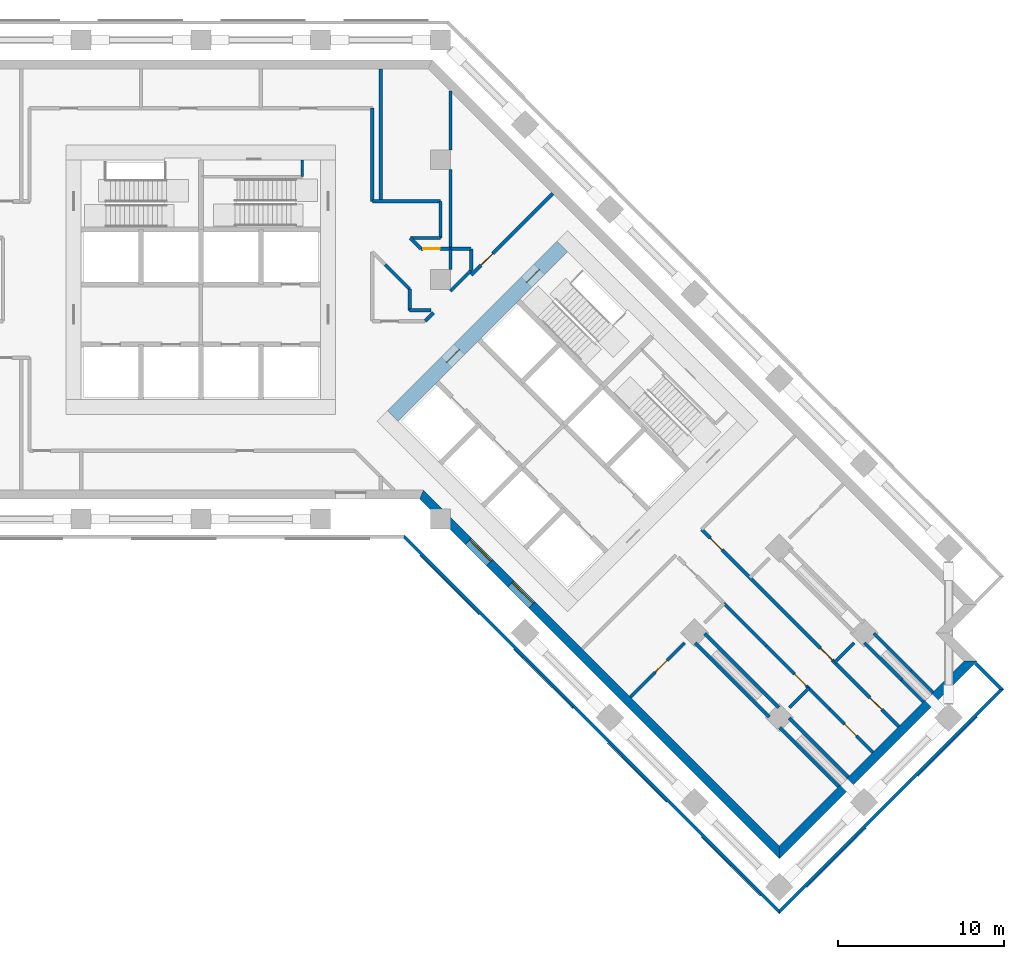
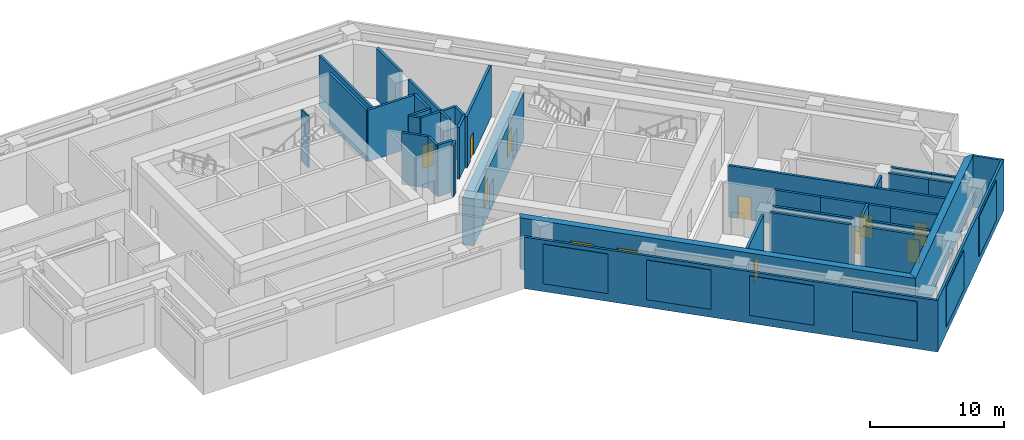
# One storey, part 5 of 8: 41 walls, 10 doors, 6 plates, 2 windows, 12 openings.
"""IFC4 building model written with IfcOpenShell, lengths in metres."""

from ifc_helpers import new_model, si_unit, direction, frame, frame_2d, origin, place, context, subcontext, project, spatial, polyline, rectangle, outline, extrude, material, layer, layer_set, type_object, element, fill, aggregate, save


model = new_model("IFC4")

# Units and contexts
model_context = context("Model", 3, precision=1e-05, world=origin(), true_north=direction((0.0, 1.0)))
body_context = subcontext(model_context, "Body", "Model", "MODEL_VIEW")
ifc_project = project(units=[si_unit("LENGTHUNIT", "METRE"), si_unit("AREAUNIT", "SQUARE_METRE"), si_unit("VOLUMEUNIT", "CUBIC_METRE"), si_unit("PLANEANGLEUNIT", "RADIAN"), si_unit("MASSUNIT", "GRAM", prefix="KILO")], contexts=[model_context])

# Plate
ifc_material_1 = material(Name="Aluminium louvre", Category="aluminium")
ifc_layer_1 = layer(ifc_material_1, 0.05)
ifc_layer_set_1 = layer_set([ifc_layer_1], Name="Belt louvre panel 5000x3600")
plate_type = type_object("IfcPlateType", Name="Belt louvre panel 5000x3600", PredefinedType="SHEET", material=ifc_layer_set_1)
site_placement = place(None, origin())
building_placement = place(site_placement, origin())
storey_placement = place(building_placement, frame((0.0, 0.0, 72.0)))
plate_1_placement = place(storey_placement, frame((77.9625, 40.9934, 0.75), z_axis=(-0.7070967812, -0.7071167811, 0.0), x_axis=(0.7071167811, -0.7070967812, 0.0)))
plate_1 = element("IfcPlate", 1, at=plate_1_placement, type_object=plate_type, Name="Belt louvre panel L19 78.1", PredefinedType="SHEET", context=body_context, shape_type="SweptSolid", body=[
    extrude(outline(polyline([(0.0, 0.0), (5.0, 0.0), (5.0, 3.6), (0.0, 3.6), (0.0, 0.0)])), origin(), (0.0, 0.0, -1.0), 0.05),
])

plate_2_placement = place(storey_placement, frame((83.5992, 35.3568, 0.75), z_axis=(-0.7071167811, -0.7070967812, 0.0), x_axis=(0.7070967812, -0.7071167811, 0.0)))
plate_2 = element("IfcPlate", 2, at=plate_2_placement, type_object=plate_type, Name="Belt louvre panel L19 79.2", PredefinedType="SHEET", context=body_context, shape_type="SweptSolid", body=[
    extrude(outline(polyline([(0.0, 0.0), (5.0, 0.0), (5.0, 3.6), (0.0, 3.6), (0.0, 0.0)])), origin(), (0.0, 0.0, -1.0), 0.05),
])

plate_3_placement = place(storey_placement, frame((89.2359, 29.7201, 0.75), z_axis=(-0.7071167811, -0.7070967812, 0.0), x_axis=(0.7070967812, -0.7071167811, 0.0)))
plate_3 = element("IfcPlate", 3, at=plate_3_placement, type_object=plate_type, Name="Belt louvre panel L19 80.3", PredefinedType="SHEET", context=body_context, shape_type="SweptSolid", body=[
    extrude(outline(polyline([(0.0, 0.0), (5.0, 0.0), (5.0, 3.6), (0.0, 3.6), (0.0, 0.0)])), origin(), (0.0, 0.0, -1.0), 0.05),
])

plate_4_placement = place(storey_placement, frame((94.8725, 24.0834, 0.75), z_axis=(-0.7071067812, -0.7071067812, 0.0), x_axis=(0.7071067812, -0.7071067812, 0.0)))
plate_4 = element("IfcPlate", 4, at=plate_4_placement, type_object=plate_type, Name="Belt louvre panel L19 81.4", PredefinedType="SHEET", context=body_context, shape_type="SweptSolid", body=[
    extrude(outline(polyline([(0.0, 0.0), (5.0, 0.0), (5.0, 3.6), (0.0, 3.6), (0.0, 0.0)])), origin(), (0.0, 0.0, -1.0), 0.05),
])

plate_5_placement = place(storey_placement, frame((101.2441, 21.0706, 0.75), z_axis=(0.7071167811, -0.7070967812, 0.0), x_axis=(0.7070967812, 0.7071167811, 0.0)))
plate_5 = element("IfcPlate", 5, at=plate_5_placement, type_object=plate_type, Name="Belt louvre panel L19 86.1", PredefinedType="SHEET", context=body_context, shape_type="SweptSolid", body=[
    extrude(outline(polyline([(0.0, 0.0), (5.0, 0.0), (5.0, 3.6), (0.0, 3.6), (0.0, 0.0)])), origin(), (0.0, 0.0, -1.0), 0.05),
])

plate_6_placement = place(storey_placement, frame((107.9262, 27.7528, 0.75), z_axis=(0.7071067812, -0.7071067812, 0.0), x_axis=(0.7071067812, 0.7071067812, 0.0)))
plate_6 = element("IfcPlate", 6, at=plate_6_placement, type_object=plate_type, Name="Belt louvre panel L19 87.2", PredefinedType="SHEET", context=body_context, shape_type="SweptSolid", body=[
    extrude(outline(polyline([(0.0, 0.0), (5.0, 0.0), (5.0, 3.6), (0.0, 3.6), (0.0, 0.0)])), origin(), (0.0, 0.0, -1.0), 0.05),
])

# Site, building, storey
site = spatial("IfcSite", under=ifc_project, at=site_placement, CompositionType="ELEMENT")
building = spatial("IfcBuilding", under=site, at=building_placement, Name="Windrow Commons", CompositionType="ELEMENT")
storey = spatial("IfcBuildingStorey", under=building, at=storey_placement, Name="L19", CompositionType="ELEMENT", Elevation=72.0)

# Wall
ifc_material_2 = material(Name="Concrete C40/50 precast screen panel", Category="concrete")
ifc_layer_2 = layer(ifc_material_2, 0.2)
ifc_layer_set_2 = layer_set([ifc_layer_2], Name="Belt screen wall 200")
wall_type_1 = type_object("IfcWallType", Name="Belt screen wall 200", PredefinedType="SOLIDWALL", material=ifc_layer_set_2)
wall_1_placement = place(storey_placement, frame((77.0181, 42.15, 0.0), z_axis=(0.0, 0.0, 1.0), x_axis=(0.7071067812, -0.7071067812, 0.0)))
wall_1 = element("IfcWall", 7, at=wall_1_placement, inside=storey, type_object=wall_type_1, Name="Belt screen wall L19 78", PredefinedType="SOLIDWALL", context=body_context, shape_type="SweptSolid", body=[
    extrude(outline(polyline([(0.0414, -0.1), (31.9857, -0.1), (31.7857, 0.1), (-0.0414, 0.1), (0.0414, -0.1)])), origin(), (0.0, 0.0, 1.0), 4.7),
])

aggregate(wall_1, [plate_1, plate_2, plate_3, plate_4])

wall_2_placement = place(storey_placement, frame((99.5647, 19.6034, 0.0), z_axis=(0.0, 0.0, 1.0), x_axis=(0.7071067812, 0.7071067812, 0.0)))
wall_2 = element("IfcWall", 8, at=wall_2_placement, inside=storey, type_object=wall_type_1, Name="Belt screen wall L19 86", PredefinedType="SOLIDWALL", context=body_context, shape_type="SweptSolid", body=[
    extrude(outline(polyline([(-0.1, -0.1), (19.0, -0.1), (18.8, 0.1), (0.1, 0.1), (-0.1, -0.1)])), origin(), (0.0, 0.0, 1.0), 4.7),
])

aggregate(wall_2, [plate_5, plate_6])

wall_3_placement = place(storey_placement, frame((112.929, 32.9677, 0.0), z_axis=(0.0, 0.0, 1.0), x_axis=(-0.7071067812, 0.7071067812, 0.0)))
element("IfcWall", 9, at=wall_3_placement, inside=storey, type_object=wall_type_1, Name="Belt screen wall L19 2", PredefinedType="SOLIDWALL", context=body_context, shape_type="SweptSolid", body=[
    extrude(outline(polyline([(-0.1, -0.1), (2.23, -0.1), (2.23, 0.1), (0.1, 0.1), (-0.1, -0.1)])), origin(), (0.0, 0.0, 1.0), 4.7),
])

# Wall, openings, windows
ifc_material_3 = material(Name="Brick masonry, red clay brick", Category="masonry")
ifc_layer_3 = layer(ifc_material_3, 0.55)
ifc_layer_set_3 = layer_set([ifc_layer_3], Name="Brick facade wall 550")
wall_type_2 = type_object("IfcWallType", Name="Brick facade wall 550", PredefinedType="SOLIDWALL", material=ifc_layer_set_3)
wall_4_placement = place(storey_placement, frame((78.0639, 44.675, 0.0), z_axis=(0.0, 0.0, 1.0), x_axis=(0.7071084256, -0.7071051368, 0.0)))
wall_4 = element("IfcWall", 10, at=wall_4_placement, inside=storey, type_object=wall_type_2, Name="Brick facade wall L19 13", PredefinedType="SOLIDWALL", context=body_context, shape_type="SweptSolid", body=[
    extrude(outline(polyline([(0.1139, -0.275), (30.6816, -0.275), (30.1316, 0.275), (-0.1139, 0.275), (0.1139, -0.275)])), origin(), (0.0, 0.0, 1.0), 4.7),
])
opening_1_placement = place(wall_4_placement, frame((3.9816, 0.0, 0.9)))
opening_1 = element("IfcOpeningElement", 11, at=opening_1_placement, cuts=wall_4, Name="Opening LV1", PredefinedType="OPENING", context=body_context, shape_type="SweptSolid", body=[
    extrude(rectangle(XDim=1.8, YDim=2.4, at=frame_2d((0.9, 1.2))), frame((0.0, 0.285, 0.0), z_axis=(0.0, -1.0, 0.0), x_axis=(1.0, 0.0, 0.0)), (0.0, 0.0, 1.0), 0.57),
])
opening_2_placement = place(wall_4_placement, frame((7.5816, 0.0, 0.9)))
opening_2 = element("IfcOpeningElement", 12, at=opening_2_placement, cuts=wall_4, Name="Opening LV1", PredefinedType="OPENING", context=body_context, shape_type="SweptSolid", body=[
    extrude(rectangle(XDim=1.8, YDim=2.4, at=frame_2d((0.9, 1.2))), frame((0.0, 0.285, 0.0), z_axis=(0.0, -1.0, 0.0), x_axis=(1.0, 0.0, 0.0)), (0.0, 0.0, 1.0), 0.57),
])
ifc_material_4 = material(Name="Aluminium 6063-T6 anodised louvre", Category="aluminium")
window_type = type_object("IfcWindowType", Name="Plant louvre 1800x2400", PartitioningType="SINGLE_PANEL", PredefinedType="WINDOW", material=ifc_material_4)
window_1_placement = place(opening_1_placement, origin())
window_1 = element("IfcWindow", 13, at=window_1_placement, inside=storey, type_object=window_type, Name="Louvre L19 13.1", OverallHeight=2.4, OverallWidth=1.8, PartitioningType="SINGLE_PANEL", PredefinedType="WINDOW", context=body_context, shape_type="SweptSolid", body=[
    extrude(rectangle(XDim=1.8, YDim=2.4, at=frame_2d((0.9, 1.2))), frame((0.0, 0.155, 0.0), z_axis=(0.0, -1.0, 0.0), x_axis=(1.0, 0.0, 0.0)), (0.0, 0.0, 1.0), 0.06),
])
fill(opening_1, window_1)
window_2_placement = place(opening_2_placement, origin())
window_2 = element("IfcWindow", 14, at=window_2_placement, inside=storey, type_object=window_type, Name="Louvre L19 13.2", OverallHeight=2.4, OverallWidth=1.8, PartitioningType="SINGLE_PANEL", PredefinedType="WINDOW", context=body_context, shape_type="SweptSolid", body=[
    extrude(rectangle(XDim=1.8, YDim=2.4, at=frame_2d((0.9, 1.2))), frame((0.0, 0.155, 0.0), z_axis=(0.0, -1.0, 0.0), x_axis=(1.0, 0.0, 0.0)), (0.0, 0.0, 1.0), 0.06),
])
fill(opening_2, window_2)

# Wall
wall_5_placement = place(storey_placement, frame((99.5647, 23.1743, 0.0), z_axis=(0.0, 0.0, 1.0), x_axis=(0.7071067812, 0.7071067812, 0.0)))
element("IfcWall", 15, at=wall_5_placement, inside=storey, type_object=wall_type_2, Name="Brick facade wall L19 14", PredefinedType="SOLIDWALL", context=body_context, shape_type="SweptSolid", body=[
    extrude(outline(polyline([(-0.275, -0.275), (16.525, -0.275), (15.975, 0.275), (0.275, 0.275), (-0.275, -0.275)])), origin(), (0.0, 0.0, 1.0), 4.7),
])

# Wall, openings, doors
ifc_material_5 = material(Name="Blockwork partition", Category="masonry")
ifc_layer_4 = layer(ifc_material_5, 0.2)
ifc_layer_set_4 = layer_set([ifc_layer_4], Name="IW-CORRIDOR-200")
wall_type_3 = type_object("IfcWallType", Name="IW-CORRIDOR-200", PredefinedType="PARTITIONING", material=ifc_layer_set_4)
wall_6_placement = place(storey_placement, frame((94.8949, 42.5809, 0.0), z_axis=(0.0, 0.0, 1.0), x_axis=(0.707103796, -0.7071097663, 0.0)))
wall_6 = element("IfcWall", 16, at=wall_6_placement, inside=storey, type_object=wall_type_3, Name="W-L19-W004", PredefinedType="PARTITIONING", context=body_context, shape_type="SweptSolid", body=[
    extrude(rectangle(XDim=16.7496, YDim=0.2, at=frame_2d((8.3748, 0.0))), origin(), (0.0, 0.0, 1.0), 4.7),
])
opening_3_placement = place(wall_6_placement, frame((0.7322, 0.0, 0.0)))
opening_3 = element("IfcOpeningElement", 17, at=opening_3_placement, cuts=wall_6, Name="Opening D410F", PredefinedType="OPENING", context=body_context, shape_type="SweptSolid", body=[
    extrude(rectangle(XDim=1.0, YDim=2.1, at=frame_2d((0.5, 1.05))), frame((0.0, 0.11, 0.0), z_axis=(0.0, -1.0, 0.0), x_axis=(1.0, 0.0, 0.0)), (0.0, 0.0, 1.0), 0.22),
])
opening_4_placement = place(wall_6_placement, frame((10.1033, 0.0, 0.0)))
opening_4 = element("IfcOpeningElement", 18, at=opening_4_placement, cuts=wall_6, Name="Opening D410F", PredefinedType="OPENING", context=body_context, shape_type="SweptSolid", body=[
    extrude(rectangle(XDim=1.0, YDim=2.1, at=frame_2d((0.5, 1.05))), frame((0.0, 0.11, 0.0), z_axis=(0.0, -1.0, 0.0), x_axis=(1.0, 0.0, 0.0)), (0.0, 0.0, 1.0), 0.22),
])
opening_5_placement = place(wall_6_placement, frame((14.3199, 0.0, 0.0)))
opening_5 = element("IfcOpeningElement", 19, at=opening_5_placement, cuts=wall_6, Name="Opening D410F", PredefinedType="OPENING", context=body_context, shape_type="SweptSolid", body=[
    extrude(rectangle(XDim=1.0, YDim=2.1, at=frame_2d((0.5, 1.05))), frame((0.0, 0.11, 0.0), z_axis=(0.0, -1.0, 0.0), x_axis=(1.0, 0.0, 0.0)), (0.0, 0.0, 1.0), 0.22),
])
ifc_material_6 = material(Name="Timber door leaf", Category="wood")
door_type_1 = type_object("IfcDoorType", Name="DT-SERVICE-1000", OperationType="SINGLE_SWING_LEFT", PredefinedType="DOOR", material=ifc_material_6)
door_1_placement = place(opening_3_placement, origin())
door_1 = element("IfcDoor", 20, at=door_1_placement, inside=storey, type_object=door_type_1, Name="D-L19-D016", OperationType="SINGLE_SWING_RIGHT", OverallHeight=2.1, OverallWidth=1.0, PredefinedType="DOOR", context=body_context, shape_type="SweptSolid", body=[
    extrude(rectangle(XDim=1.0, YDim=2.1, at=frame_2d((0.5, 1.05))), frame((0.0, 0.025, 0.0), z_axis=(0.0, -1.0, 0.0), x_axis=(1.0, 0.0, 0.0)), (0.0, 0.0, 1.0), 0.05),
])
fill(opening_3, door_1)
door_2_placement = place(opening_4_placement, origin())
door_2 = element("IfcDoor", 21, at=door_2_placement, inside=storey, type_object=door_type_1, Name="D-L19-D017", OperationType="SINGLE_SWING_LEFT", OverallHeight=2.1, OverallWidth=1.0, PredefinedType="DOOR", context=body_context, shape_type="SweptSolid", body=[
    extrude(rectangle(XDim=1.0, YDim=2.1, at=frame_2d((0.5, 1.05))), frame((0.0, 0.025, 0.0), z_axis=(0.0, -1.0, 0.0), x_axis=(1.0, 0.0, 0.0)), (0.0, 0.0, 1.0), 0.05),
])
fill(opening_4, door_2)
door_3_placement = place(opening_5_placement, origin())
door_3 = element("IfcDoor", 22, at=door_3_placement, inside=storey, type_object=door_type_1, Name="D-L19-D018", OperationType="SINGLE_SWING_LEFT", OverallHeight=2.1, OverallWidth=1.0, PredefinedType="DOOR", context=body_context, shape_type="SweptSolid", body=[
    extrude(rectangle(XDim=1.0, YDim=2.1, at=frame_2d((0.5, 1.05))), frame((0.0, 0.025, 0.0), z_axis=(0.0, -1.0, 0.0), x_axis=(1.0, 0.0, 0.0)), (0.0, 0.0, 1.0), 0.05),
])
fill(opening_5, door_3)

# Wall, opening, door
wall_7_placement = place(storey_placement, frame((81.0515, 57.8725, 0.0), z_axis=(0.0, 0.0, 1.0), x_axis=(0.7070995666, 0.7071139957, 0.0)))
wall_7 = element("IfcWall", 23, at=wall_7_placement, inside=storey, type_object=wall_type_3, Name="W-L19-W011", PredefinedType="PARTITIONING", context=body_context, shape_type="SweptSolid", body=[
    extrude(rectangle(XDim=6.9304, YDim=0.2, at=frame_2d((3.4652, 0.0))), origin(), (0.0, 0.0, 1.0), 4.7),
])
opening_6_placement = place(wall_7_placement, frame((0.8353, 0.0, 0.0)))
opening_6 = element("IfcOpeningElement", 24, at=opening_6_placement, cuts=wall_7, Name="Opening D410F", PredefinedType="OPENING", context=body_context, shape_type="SweptSolid", body=[
    extrude(rectangle(XDim=1.0, YDim=2.1, at=frame_2d((0.5, 1.05))), frame((0.0, 0.11, 0.0), z_axis=(0.0, -1.0, 0.0), x_axis=(1.0, 0.0, 0.0)), (0.0, 0.0, 1.0), 0.22),
])
door_4_placement = place(opening_6_placement, origin())
door_4 = element("IfcDoor", 25, at=door_4_placement, inside=storey, type_object=door_type_1, Name="D-L19-D015", OperationType="SINGLE_SWING_RIGHT", OverallHeight=2.1, OverallWidth=1.0, PredefinedType="DOOR", context=body_context, shape_type="SweptSolid", body=[
    extrude(rectangle(XDim=1.0, YDim=2.1, at=frame_2d((0.5, 1.05))), frame((0.0, 0.025, 0.0), z_axis=(0.0, -1.0, 0.0), x_axis=(1.0, 0.0, 0.0)), (0.0, 0.0, 1.0), 0.05),
])
fill(opening_6, door_4)

# Walls
wall_8_placement = place(storey_placement, frame((75.1, 62.302, 0.0), z_axis=(0.0, 0.0, 1.0), x_axis=(0.0, 1.0, 0.0)))
element("IfcWall", 26, at=wall_8_placement, inside=storey, type_object=wall_type_3, Name="W-L19-W017", PredefinedType="PARTITIONING", context=body_context, shape_type="SweptSolid", body=[
    extrude(rectangle(XDim=5.598, YDim=0.2, at=frame_2d((2.799, 0.0))), origin(), (0.0, 0.0, 1.0), 4.7),
])
wall_9_placement = place(storey_placement, frame((75.102, 62.3, 0.0), z_axis=(0.0, 0.0, 1.0), x_axis=(1.0, 0.0, 0.0)))
element("IfcWall", 27, at=wall_9_placement, inside=storey, type_object=wall_type_3, Name="W-L19-W032", PredefinedType="PARTITIONING", context=body_context, shape_type="SweptSolid", body=[
    extrude(rectangle(XDim=4.098, YDim=0.2, at=frame_2d((2.049, 0.0))), origin(), (0.0, 0.0, 1.0), 4.7),
])

# Wall, opening, door
wall_10_placement = place(storey_placement, frame((98.7832, 35.5812, 0.0), z_axis=(0.0, 0.0, 1.0), x_axis=(0.7071067812, -0.7071067812, 0.0)))
wall_10 = element("IfcWall", 28, at=wall_10_placement, inside=storey, type_object=wall_type_3, Name="W-L19-W034", PredefinedType="PARTITIONING", context=body_context, shape_type="SweptSolid", body=[
    extrude(rectangle(XDim=3.6006, YDim=0.2, at=frame_2d((1.8003, 0.0))), origin(), (0.0, 0.0, 1.0), 4.7),
])
opening_7_placement = place(wall_10_placement, frame((2.3981, 0.0, 0.0)))
opening_7 = element("IfcOpeningElement", 29, at=opening_7_placement, cuts=wall_10, Name="Opening D410F", PredefinedType="OPENING", context=body_context, shape_type="SweptSolid", body=[
    extrude(rectangle(XDim=1.0, YDim=2.1, at=frame_2d((0.5, 1.05))), frame((0.0, 0.11, 0.0), z_axis=(0.0, -1.0, 0.0), x_axis=(1.0, 0.0, 0.0)), (0.0, 0.0, 1.0), 0.22),
])
door_5_placement = place(opening_7_placement, origin())
door_5 = element("IfcDoor", 30, at=door_5_placement, inside=storey, type_object=door_type_1, Name="D-L19-D020", OperationType="SINGLE_SWING_RIGHT", OverallHeight=2.1, OverallWidth=1.0, PredefinedType="DOOR", context=body_context, shape_type="SweptSolid", body=[
    extrude(rectangle(XDim=1.0, YDim=2.1, at=frame_2d((0.5, 1.05))), frame((0.0, 0.025, 0.0), z_axis=(0.0, -1.0, 0.0), x_axis=(1.0, 0.0, 0.0)), (0.0, 0.0, 1.0), 0.05),
])
fill(opening_7, door_5)

wall_11_placement = place(storey_placement, frame((105.1829, 29.1815, 0.0), z_axis=(0.0, 0.0, 1.0), x_axis=(-0.7069697689, 0.7072437669, 0.0)))
wall_11 = element("IfcWall", 31, at=wall_11_placement, inside=storey, type_object=wall_type_3, Name="W-L19-W035", PredefinedType="PARTITIONING", context=body_context, shape_type="SweptSolid", body=[
    extrude(rectangle(XDim=3.6497, YDim=0.2, at=frame_2d((1.8249, 0.0))), origin(), (0.0, 0.0, 1.0), 4.7),
])
opening_8_placement = place(wall_11_placement, frame((1.397, 0.0, 0.0)))
opening_8 = element("IfcOpeningElement", 32, at=opening_8_placement, cuts=wall_11, Name="Opening D410F", PredefinedType="OPENING", context=body_context, shape_type="SweptSolid", body=[
    extrude(rectangle(XDim=1.0, YDim=2.1, at=frame_2d((0.5, 1.05))), frame((0.0, 0.11, 0.0), z_axis=(0.0, -1.0, 0.0), x_axis=(1.0, 0.0, 0.0)), (0.0, 0.0, 1.0), 0.22),
])
door_6_placement = place(opening_8_placement, origin())
door_6 = element("IfcDoor", 33, at=door_6_placement, inside=storey, type_object=door_type_1, Name="D-L19-D021", OperationType="SINGLE_SWING_RIGHT", OverallHeight=2.1, OverallWidth=1.0, PredefinedType="DOOR", context=body_context, shape_type="SweptSolid", body=[
    extrude(rectangle(XDim=1.0, YDim=2.1, at=frame_2d((0.5, 1.05))), frame((0.0, 0.025, 0.0), z_axis=(0.0, -1.0, 0.0), x_axis=(1.0, 0.0, 0.0)), (0.0, 0.0, 1.0), 0.05),
])
fill(opening_8, door_6)

# Walls
wall_12_placement = place(storey_placement, frame((96.2409, 38.1289, 0.0), z_axis=(0.0, 0.0, 1.0), x_axis=(0.7068288851, -0.7073845681, 0.0)))
element("IfcWall", 34, at=wall_12_placement, inside=storey, type_object=wall_type_3, Name="W-L19-W036", PredefinedType="PARTITIONING", context=body_context, shape_type="SweptSolid", body=[
    extrude(rectangle(XDim=3.5992, YDim=0.2, at=frame_2d((1.7996, 0.0))), origin(), (0.0, 0.0, 1.0), 4.7),
])
wall_13_placement = place(storey_placement, frame((79.2, 60.102, 0.0), z_axis=(0.0, 0.0, 1.0), x_axis=(0.0, 1.0, 0.0)))
element("IfcWall", 35, at=wall_13_placement, inside=storey, type_object=wall_type_3, Name="W-L19-W052", PredefinedType="PARTITIONING", context=body_context, shape_type="SweptSolid", body=[
    extrude(rectangle(XDim=2.198, YDim=0.2, at=frame_2d((1.099, 0.0))), origin(), (0.0, 0.0, 1.0), 4.7),
])
wall_14_placement = place(storey_placement, frame((75.8791, 58.4971, 0.0), z_axis=(0.0, 0.0, 1.0), x_axis=(0.7075866635, -0.706626573, 0.0)))
element("IfcWall", 36, at=wall_14_placement, inside=storey, type_object=wall_type_3, Name="W-L19-W053", PredefinedType="PARTITIONING", context=body_context, shape_type="SweptSolid", body=[
    extrude(rectangle(XDim=2.0831, YDim=0.2, at=frame_2d((1.0415, 0.0))), origin(), (0.0, 0.0, 1.0), 4.7),
])
wall_15_placement = place(storey_placement, frame((77.384, 60.1, 0.0), z_axis=(0.0, 0.0, 1.0), x_axis=(1.0, 0.0, 0.0)))
element("IfcWall", 37, at=wall_15_placement, inside=storey, type_object=wall_type_3, Name="W-L19-W059", PredefinedType="PARTITIONING", context=body_context, shape_type="SweptSolid", body=[
    extrude(rectangle(XDim=1.814, YDim=0.2, at=frame_2d((0.907, 0.0))), origin(), (0.0, 0.0, 1.0), 4.7),
])
wall_16_placement = place(storey_placement, frame((101.3348, 33.0408, 0.0), z_axis=(0.0, 0.0, 1.0), x_axis=(0.7076620277, -0.7065510983, 0.0)))
element("IfcWall", 38, at=wall_16_placement, inside=storey, type_object=wall_type_3, Name="W-L19-W062", PredefinedType="PARTITIONING", context=body_context, shape_type="SweptSolid", body=[
    extrude(rectangle(XDim=1.8003, YDim=0.2, at=frame_2d((0.9002, 0.0))), origin(), (0.0, 0.0, 1.0), 4.7),
])

# Wall, opening, door
wall_17_placement = place(storey_placement, frame((78.032, 59.45, 0.0), z_axis=(0.0, 0.0, 1.0), x_axis=(1.0, 0.0, 0.0)))
wall_17 = element("IfcWall", 39, at=wall_17_placement, inside=storey, type_object=wall_type_3, Name="W-L19-W063", PredefinedType="PARTITIONING", context=body_context, shape_type="SweptSolid", body=[
    extrude(rectangle(XDim=1.768, YDim=0.2, at=frame_2d((0.884, 0.0))), origin(), (0.0, 0.0, 1.0), 4.7),
])
opening_9_placement = place(wall_17_placement, frame((0.1264, 0.0, 0.0)))
opening_9 = element("IfcOpeningElement", 40, at=opening_9_placement, cuts=wall_17, Name="Opening D410F", PredefinedType="OPENING", context=body_context, shape_type="SweptSolid", body=[
    extrude(rectangle(XDim=1.0, YDim=2.1, at=frame_2d((0.5, 1.05))), frame((0.0, 0.11, 0.0), z_axis=(0.0, -1.0, 0.0), x_axis=(1.0, 0.0, 0.0)), (0.0, 0.0, 1.0), 0.22),
])
door_7_placement = place(opening_9_placement, origin())
door_7 = element("IfcDoor", 41, at=door_7_placement, inside=storey, type_object=door_type_1, Name="D-L19-D014", OperationType="SINGLE_SWING_LEFT", OverallHeight=2.1, OverallWidth=1.0, PredefinedType="DOOR", context=body_context, shape_type="SweptSolid", body=[
    extrude(rectangle(XDim=1.0, YDim=2.1, at=frame_2d((0.5, 1.05))), frame((0.0, 0.025, 0.0), z_axis=(0.0, -1.0, 0.0), x_axis=(1.0, 0.0, 0.0)), (0.0, 0.0, 1.0), 0.05),
])
fill(opening_9, door_7)

# Walls
wall_18_placement = place(storey_placement, frame((79.8011, 56.9049, 0.0), z_axis=(0.0, 0.0, 1.0), x_axis=(0.7071067812, 0.7071067812, 0.0)))
element("IfcWall", 42, at=wall_18_placement, inside=storey, type_object=wall_type_3, Name="W-L19-W064", PredefinedType="PARTITIONING", context=body_context, shape_type="SweptSolid", body=[
    extrude(rectangle(XDim=1.7649, YDim=0.2, at=frame_2d((0.8824, 0.0))), origin(), (0.0, 0.0, 1.0), 4.7),
])
for number, where, z_axis, x_axis, name in (
    (43, (77.35, 55.75, 0.0), (0.0, 0.0, 1.0), (1.0, 0.0, 0.0), "W-L19-W070"),
    (44, (77.35, 55.75, 0.0), (0.0, 0.0, 1.0), (0.0, 1.0, 0.0), "W-L19-W071"),
):
    element("IfcWall", number, at=place(storey_placement, frame(where, z_axis=z_axis, x_axis=x_axis)), inside=storey, type_object=wall_type_3, Name=name, PredefinedType="PARTITIONING", context=body_context, shape_type="SweptSolid", body=[
        extrude(rectangle(XDim=1.27, YDim=0.2, at=frame_2d((0.635, 0.0))), origin(), (0.0, 0.0, 1.0), 4.7),
    ])
wall_19_placement = place(storey_placement, frame((79.8, 58.2, 0.0), z_axis=(0.0, 0.0, 1.0), x_axis=(0.0, 1.0, 0.0)))
element("IfcWall", 45, at=wall_19_placement, inside=storey, type_object=wall_type_3, Name="W-L19-W072", PredefinedType="PARTITIONING", context=body_context, shape_type="SweptSolid", body=[
    extrude(rectangle(XDim=1.25, YDim=0.2, at=frame_2d((0.625, 0.0))), origin(), (0.0, 0.0, 1.0), 4.7),
])
wall_20_placement = place(storey_placement, frame((77.3809, 60.0949, 0.0), z_axis=(0.0, 0.0, 1.0), x_axis=(0.7071067812, -0.7071067812, 0.0)))
element("IfcWall", 46, at=wall_20_placement, inside=storey, type_object=wall_type_3, Name="W-L19-W075", PredefinedType="PARTITIONING", context=body_context, shape_type="SweptSolid", body=[
    extrude(rectangle(XDim=0.9164, YDim=0.2, at=frame_2d((0.4582, 0.0))), origin(), (0.0, 0.0, 1.0), 4.7),
])
wall_21_placement = place(storey_placement, frame((78.2795, 55.1005, 0.0), z_axis=(0.0, 0.0, 1.0), x_axis=(0.7071067812, 0.7071067812, 0.0)))
element("IfcWall", 47, at=wall_21_placement, inside=storey, type_object=wall_type_3, Name="W-L19-W077", PredefinedType="PARTITIONING", context=body_context, shape_type="SweptSolid", body=[
    extrude(rectangle(XDim=0.7014, YDim=0.2, at=frame_2d((0.3507, 0.0))), origin(), (0.0, 0.0, 1.0), 4.7),
])
ifc_material_7 = material(Name="Blockwork partition", Category="masonry")
ifc_layer_5 = layer(ifc_material_7, 0.2)
ifc_layer_set_5 = layer_set([ifc_layer_5], Name="IW-PARTY-200")
wall_type_4 = type_object("IfcWallType", Name="IW-PARTY-200", PredefinedType="PARTITIONING", material=ifc_layer_set_5)
wall_22_placement = place(storey_placement, frame((75.6, 62.3, 0.0), z_axis=(0.0, 0.0, 1.0), x_axis=(0.0, 1.0, 0.0)))
element("IfcWall", 48, at=wall_22_placement, inside=storey, type_object=wall_type_4, Name="W-L19-W008", PredefinedType="PARTITIONING", context=body_context, shape_type="SweptSolid", body=[
    extrude(rectangle(XDim=7.95, YDim=0.2, at=frame_2d((3.975, 0.0))), origin(), (0.0, 0.0, 1.0), 4.7),
])
wall_23_placement = place(storey_placement, frame((95.0774, 36.3314, 0.0), z_axis=(0.0, 0.0, 1.0), x_axis=(0.7071067812, -0.7071067812, 0.0)))
element("IfcWall", 49, at=wall_23_placement, inside=storey, type_object=wall_type_4, Name="W-L19-W013", PredefinedType="PARTITIONING", context=body_context, shape_type="SweptSolid", body=[
    extrude(rectangle(XDim=6.3046, YDim=0.2, at=frame_2d((3.1523, 0.0))), origin(), (0.0, 0.0, 1.0), 4.7),
])
wall_24_placement = place(storey_placement, frame((94.5046, 35.7586, 0.0), z_axis=(0.0, 0.0, 1.0), x_axis=(0.7071067812, -0.7071067812, 0.0)))
element("IfcWall", 50, at=wall_24_placement, inside=storey, type_object=wall_type_4, Name="W-L19-W014", PredefinedType="PARTITIONING", context=body_context, shape_type="SweptSolid", body=[
    extrude(rectangle(XDim=6.3017, YDim=0.2, at=frame_2d((3.1509, 0.0))), origin(), (0.0, 0.0, 1.0), 4.7),
])
wall_25_placement = place(storey_placement, frame((100.1674, 31.2414, 0.0), z_axis=(0.0, 0.0, 1.0), x_axis=(0.7070967874, -0.7071167749, 0.0)))
element("IfcWall", 51, at=wall_25_placement, inside=storey, type_object=wall_type_4, Name="W-L19-W019", PredefinedType="PARTITIONING", context=body_context, shape_type="SweptSolid", body=[
    extrude(rectangle(XDim=5.0031, YDim=0.2, at=frame_2d((2.5015, 0.0))), origin(), (0.0, 0.0, 1.0), 4.7),
])
wall_26_placement = place(storey_placement, frame((99.5966, 30.6666, 0.0), z_axis=(0.0, 0.0, 1.0), x_axis=(0.7071067812, -0.7071067812, 0.0)))
element("IfcWall", 52, at=wall_26_placement, inside=storey, type_object=wall_type_4, Name="W-L19-W020", PredefinedType="PARTITIONING", context=body_context, shape_type="SweptSolid", body=[
    extrude(rectangle(XDim=5.0002, YDim=0.2, at=frame_2d((2.5001, 0.0))), origin(), (0.0, 0.0, 1.0), 4.7),
])
wall_27_placement = place(storey_placement, frame((79.8, 59.45, 0.0), z_axis=(0.0, 0.0, 1.0), x_axis=(0.0, 1.0, 0.0)))
element("IfcWall", 53, at=wall_27_placement, inside=storey, type_object=wall_type_4, Name="W-L19-W027", PredefinedType="PARTITIONING", context=body_context, shape_type="SweptSolid", body=[
    extrude(rectangle(XDim=4.75, YDim=0.2, at=frame_2d((2.375, 0.0))), origin(), (0.0, 0.0, 1.0), 4.7),
])

# Wall, opening, door
wall_28_placement = place(storey_placement, frame((90.619, 32.5089, 0.0), z_axis=(0.0, 0.0, 1.0), x_axis=(0.7070959161, 0.7071176461, 0.0)))
wall_28 = element("IfcWall", 54, at=wall_28_placement, inside=storey, type_object=wall_type_4, Name="W-L19-W029", PredefinedType="PARTITIONING", context=body_context, shape_type="SweptSolid", body=[
    extrude(rectangle(XDim=4.6019, YDim=0.2, at=frame_2d((2.3009, 0.0))), origin(), (0.0, 0.0, 1.0), 4.7),
])
opening_10_placement = place(wall_28_placement, frame((2.105, 0.0, 0.0)))
opening_10 = element("IfcOpeningElement", 55, at=opening_10_placement, cuts=wall_28, Name="Opening D310N", PredefinedType="OPENING", context=body_context, shape_type="SweptSolid", body=[
    extrude(rectangle(XDim=1.0, YDim=2.1, at=frame_2d((0.5, 1.05))), frame((0.0, 0.11, 0.0), z_axis=(0.0, -1.0, 0.0), x_axis=(1.0, 0.0, 0.0)), (0.0, 0.0, 1.0), 0.22),
])
ifc_material_8 = material(Name="Timber door leaf", Category="wood")
door_type_2 = type_object("IfcDoorType", Name="DT-AMENITY-1000", OperationType="SINGLE_SWING_LEFT", PredefinedType="DOOR", material=ifc_material_8)
door_8_placement = place(opening_10_placement, origin())
door_8 = element("IfcDoor", 56, at=door_8_placement, inside=storey, type_object=door_type_2, Name="D-L19-DX03", OperationType="SINGLE_SWING_LEFT", OverallHeight=2.1, OverallWidth=1.0, PredefinedType="DOOR", context=body_context, shape_type="SweptSolid", body=[
    extrude(rectangle(XDim=1.0, YDim=2.1, at=frame_2d((0.5, 1.05))), frame((0.0, 0.025, 0.0), z_axis=(0.0, -1.0, 0.0), x_axis=(1.0, 0.0, 0.0)), (0.0, 0.0, 1.0), 0.05),
])
fill(opening_10, door_8)

# Walls
wall_29_placement = place(storey_placement, frame((79.8, 65.4, 0.0), z_axis=(0.0, 0.0, 1.0), x_axis=(0.0, 1.0, 0.0)))
element("IfcWall", 57, at=wall_29_placement, inside=storey, type_object=wall_type_4, Name="W-L19-W037", PredefinedType="PARTITIONING", context=body_context, shape_type="SweptSolid", body=[
    extrude(rectangle(XDim=3.5251, YDim=0.2, at=frame_2d((1.7626, 0.0))), origin(), (0.0, 0.0, 1.0), 4.7),
])
wall_30_placement = place(storey_placement, frame((104.6871, 35.7611, 0.0), z_axis=(0.0, 0.0, 1.0), x_axis=(0.7074239405, -0.7067894796, 0.0)))
element("IfcWall", 58, at=wall_30_placement, inside=storey, type_object=wall_type_4, Name="W-L19-W041", PredefinedType="PARTITIONING", context=body_context, shape_type="SweptSolid", body=[
    extrude(rectangle(XDim=3.1523, YDim=0.2, at=frame_2d((1.5761, 0.0))), origin(), (0.0, 0.0, 1.0), 4.7),
])
wall_31_placement = place(storey_placement, frame((105.2548, 36.3248, 0.0), z_axis=(0.0, 0.0, 1.0), x_axis=(0.7074242253, -0.7067891945, 0.0)))
element("IfcWall", 59, at=wall_31_placement, inside=storey, type_object=wall_type_4, Name="W-L19-W042", PredefinedType="PARTITIONING", context=body_context, shape_type="SweptSolid", body=[
    extrude(rectangle(XDim=3.1495, YDim=0.2, at=frame_2d((1.5748, 0.0))), origin(), (0.0, 0.0, 1.0), 4.7),
])
for number, where, z_axis, x_axis, name in (
    (60, (106.9148, 33.5308, 0.0), (0.0, 0.0, 1.0), (0.7070797661, -0.7071337953, 0.0), "W-L19-W060"),
    (61, (107.4866, 34.1026, 0.0), (0.0, 0.0, 1.0), (0.7065392475, -0.7076738597, 0.0), "W-L19-W061"),
):
    element("IfcWall", number, at=place(storey_placement, frame(where, z_axis=z_axis, x_axis=x_axis)), inside=storey, type_object=wall_type_4, Name=name, PredefinedType="PARTITIONING", context=body_context, shape_type="SweptSolid", body=[
        extrude(rectangle(XDim=1.8509, YDim=0.2, at=frame_2d((0.9254, 0.0))), origin(), (0.0, 0.0, 1.0), 4.7),
    ])
for number, where, z_axis, x_axis, name in (
    (62, (100.1632, 31.8708, 0.0), (0.0, 0.0, 1.0), (0.7071067812, 0.7071067812, 0.0), "W-L19-W065"),
    (63, (102.8872, 34.5948, 0.0), (0.0, 0.0, 1.0), (0.7071067812, 0.7071067812, 0.0), "W-L19-W068"),
):
    element("IfcWall", number, at=place(storey_placement, frame(where, z_axis=z_axis, x_axis=x_axis)), inside=storey, type_object=wall_type_4, Name=name, PredefinedType="PARTITIONING", context=body_context, shape_type="SweptSolid", body=[
        extrude(rectangle(XDim=1.6518, YDim=0.2, at=frame_2d((0.8259, 0.0))), origin(), (0.0, 0.0, 1.0), 4.7),
    ])
wall_32_placement = place(storey_placement, frame((81.05, 58.152, 0.0), z_axis=(0.0, 0.0, 1.0), x_axis=(0.0, 1.0, 0.0)))
element("IfcWall", 64, at=wall_32_placement, inside=storey, type_object=wall_type_4, Name="W-L19-W069", PredefinedType="PARTITIONING", context=body_context, shape_type="SweptSolid", body=[
    extrude(rectangle(XDim=1.296, YDim=0.2, at=frame_2d((0.648, 0.0))), origin(), (0.0, 0.0, 1.0), 4.7),
])
wall_33_placement = place(storey_placement, frame((79.8, 59.45, 0.0), z_axis=(0.0, 0.0, 1.0), x_axis=(1.0, 0.0, 0.0)))
element("IfcWall", 65, at=wall_33_placement, inside=storey, type_object=wall_type_4, Name="W-L19-W073", PredefinedType="PARTITIONING", context=body_context, shape_type="SweptSolid", body=[
    extrude(rectangle(XDim=1.248, YDim=0.2, at=frame_2d((0.624, 0.0))), origin(), (0.0, 0.0, 1.0), 4.7),
])

# Wall, openings, doors
ifc_material_9 = material(Name="Concrete C60/75", Category="concrete")
ifc_layer_6 = layer(ifc_material_9, 0.9)
ifc_layer_set_6 = layer_set([ifc_layer_6], Name="RC CORE WALL 900 C60/75")
wall_type_5 = type_object("IfcWallType", Name="RC CORE WALL 900 C60/75", PredefinedType="SHEAR", material=ifc_layer_set_6)
wall_34_placement = place(storey_placement, frame((76.3362, 49.4079, -0.3), z_axis=(0.0, 0.0, 1.0), x_axis=(0.7071067812, 0.7071067812, 0.0)))
wall_34 = element("IfcWall", 66, at=wall_34_placement, inside=storey, type_object=wall_type_5, Name="Core B wall outer-W", PredefinedType="SHEAR", context=body_context, shape_type="SweptSolid", body=[
    extrude(rectangle(XDim=14.4001, YDim=0.9, at=frame_2d((7.2001, 0.0))), origin(), (0.0, 0.0, 1.0), 4.3),
])
opening_11_placement = place(wall_34_placement, frame((4.55, 0.0, 0.3)))
opening_11 = element("IfcOpeningElement", 67, at=opening_11_placement, cuts=wall_34, Name="Opening D6", PredefinedType="OPENING", context=body_context, shape_type="SweptSolid", body=[
    extrude(rectangle(XDim=1.1, YDim=2.1, at=frame_2d((0.55, 1.05))), frame((0.0, 0.46, 0.0), z_axis=(0.0, -1.0, 0.0), x_axis=(1.0, 0.0, 0.0)), (0.0, 0.0, 1.0), 0.92),
])
opening_12_placement = place(wall_34_placement, frame((11.35, 0.0, 0.3)))
opening_12 = element("IfcOpeningElement", 68, at=opening_12_placement, cuts=wall_34, Name="Opening D7", PredefinedType="OPENING", context=body_context, shape_type="SweptSolid", body=[
    extrude(rectangle(XDim=1.1, YDim=2.1, at=frame_2d((0.55, 1.05))), frame((0.0, 0.46, 0.0), z_axis=(0.0, -1.0, 0.0), x_axis=(1.0, 0.0, 0.0)), (0.0, 0.0, 1.0), 0.92),
])
ifc_material_10 = material(Name="Steel fire door leaf", Category="steel")
door_type_3 = type_object("IfcDoorType", Name="Core lobby door 1100", OperationType="SINGLE_SWING_LEFT", PredefinedType="DOOR", material=ifc_material_10)
door_9_placement = place(opening_11_placement, origin())
door_9 = element("IfcDoor", 69, at=door_9_placement, inside=storey, type_object=door_type_3, Name="Lift lobby door", OperationType="DOUBLE_DOOR_SINGLE_SWING", OverallHeight=2.1, OverallWidth=1.1, PredefinedType="DOOR", context=body_context, shape_type="SweptSolid", body=[
    extrude(rectangle(XDim=1.1, YDim=2.1, at=frame_2d((0.55, 1.05))), frame((0.0, 0.025, 0.0), z_axis=(0.0, -1.0, 0.0), x_axis=(1.0, 0.0, 0.0)), (0.0, 0.0, 1.0), 0.05),
])
fill(opening_11, door_9)
ifc_material_11 = material(Name="Steel fire door leaf", Category="steel")
door_type_4 = type_object("IfcDoorType", Name="Stair door 1100", OperationType="SINGLE_SWING_LEFT", PredefinedType="DOOR", material=ifc_material_11)
door_10_placement = place(opening_12_placement, origin())
door_10 = element("IfcDoor", 70, at=door_10_placement, inside=storey, type_object=door_type_4, Name="Stair door", OperationType="SINGLE_SWING_LEFT", OverallHeight=2.1, OverallWidth=1.1, PredefinedType="DOOR", context=body_context, shape_type="SweptSolid", body=[
    extrude(rectangle(XDim=1.1, YDim=2.1, at=frame_2d((0.55, 1.05))), frame((0.0, 0.025, 0.0), z_axis=(0.0, -1.0, 0.0), x_axis=(1.0, 0.0, 0.0)), (0.0, 0.0, 1.0), 0.05),
])
fill(opening_12, door_10)

# Wall
ifc_material_12 = material(Name="Blockwork partition", Category="masonry")
ifc_layer_7 = layer(ifc_material_12, 0.15)
ifc_layer_set_7 = layer_set([ifc_layer_7], Name="Riser partition 150")
wall_type_6 = type_object("IfcWallType", Name="Riser partition 150", PredefinedType="PARTITIONING", material=ifc_layer_set_7)
wall_35_placement = place(storey_placement, frame((70.9, 63.78, 0.0), z_axis=(0.0, 0.0, 1.0), x_axis=(0.0, 1.0, 0.0)))
element("IfcWall", 71, at=wall_35_placement, inside=storey, type_object=wall_type_6, Name="W-core-stripx-A-L19-1", PredefinedType="PARTITIONING", context=body_context, shape_type="SweptSolid", body=[
    extrude(rectangle(XDim=1.02, YDim=0.15, at=frame_2d((0.51, 0.0))), origin(), (0.0, 0.0, 1.0), 4.7),
])

save(model, "model.ifc")
